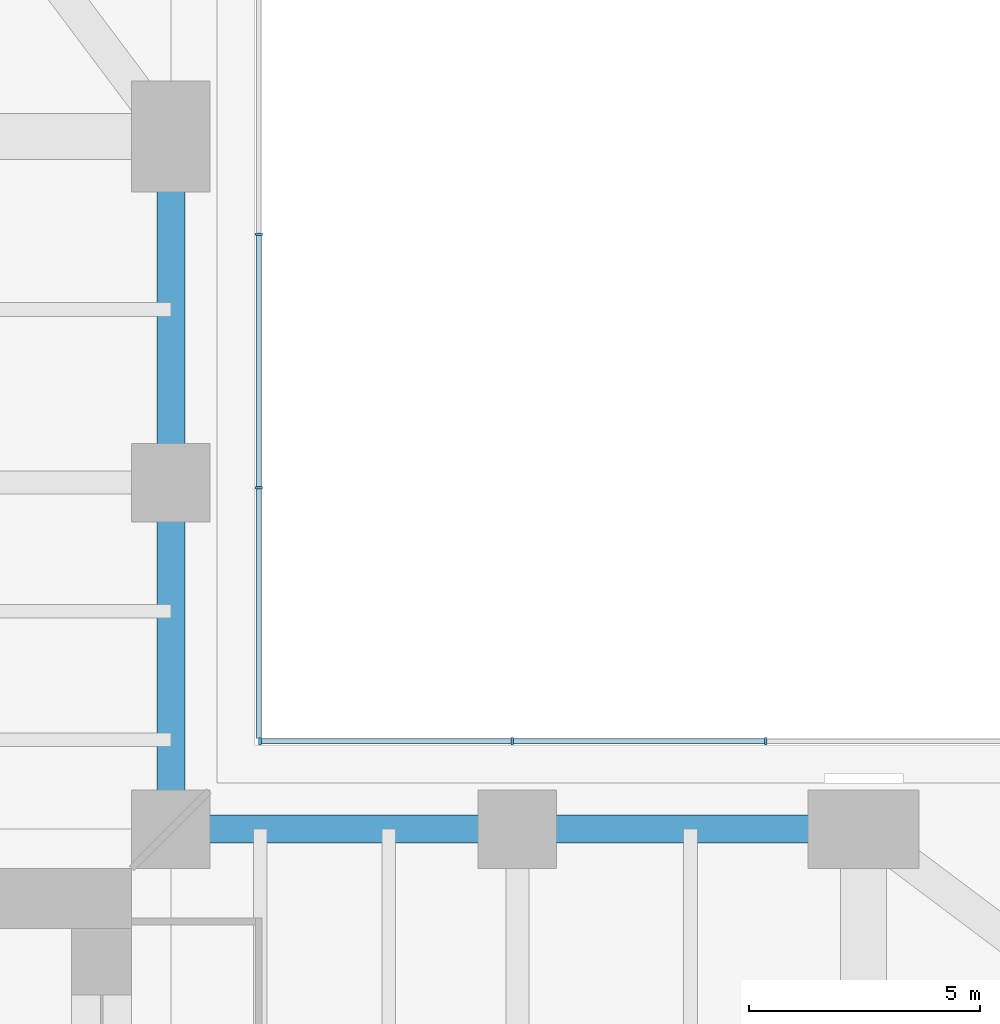
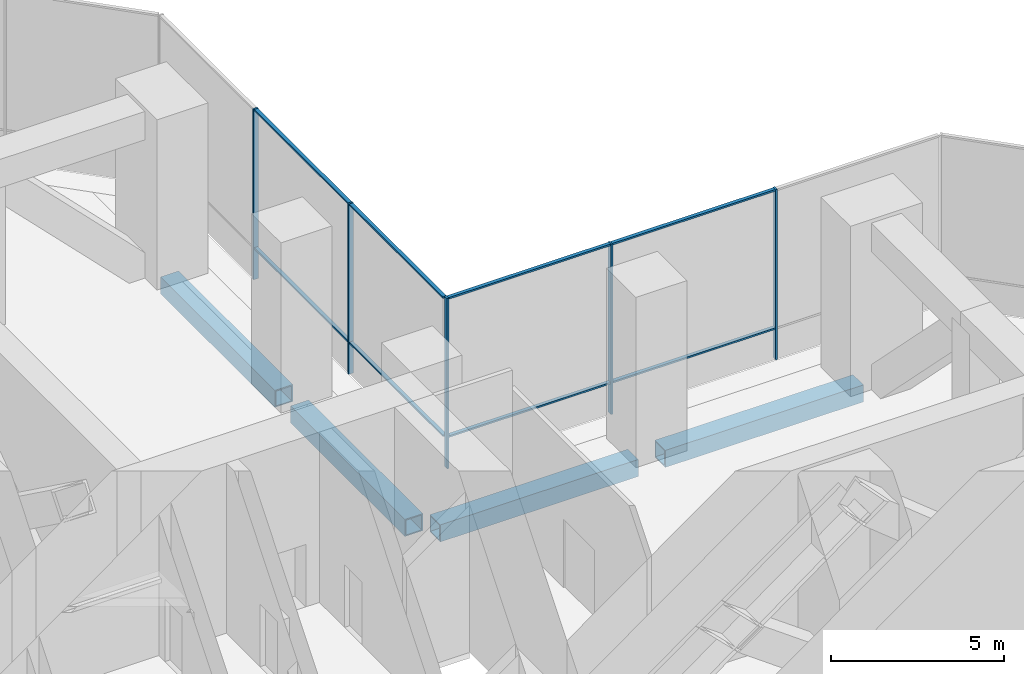
# One storey, part 10 of 20: 13 members, 4 beams, 2 elements without a shape of their own.
"""IFC4 building model written with IfcOpenShell, lengths in metres."""

from ifc_helpers import new_model, si_unit, direction, frame, origin, origin_2d, place, context, subcontext, project, spatial, rectangle, hollow_rectangle, extrude, material, material_profile, profile_set, type_object, element, aggregate, save


model = new_model("IFC4")

# Units and contexts
model_context = context("Model", 3, precision=1e-05, world=origin(), true_north=direction((0.0, 1.0)))
body_context = subcontext(model_context, "Body", "Model", "MODEL_VIEW")
ifc_project = project(units=[si_unit("LENGTHUNIT", "METRE"), si_unit("AREAUNIT", "SQUARE_METRE"), si_unit("VOLUMEUNIT", "CUBIC_METRE"), si_unit("PLANEANGLEUNIT", "RADIAN"), si_unit("MASSUNIT", "GRAM", prefix="KILO")], contexts=[model_context])

# Site, building, storey
site_placement = place(None, origin())
site = spatial("IfcSite", under=ifc_project, at=site_placement, CompositionType="ELEMENT")
building_placement = place(site_placement, origin())
building = spatial("IfcBuilding", under=site, at=building_placement, Name="Mizan Broadcast Tower", CompositionType="ELEMENT")
storey_placement = place(building_placement, frame((0.0, 0.0, 118.199951171875)))
storey = spatial("IfcBuildingStorey", under=building, at=storey_placement, Name="L26", CompositionType="ELEMENT", Elevation=118.199951171875)

# Beams
ifc_material_1 = material(Name="Steel S355", Category="steel")
ifc_material_profile_1 = material_profile(ifc_material_1, hollow_rectangle(XDim=0.60009765625, YDim=0.60009765625, WallThickness=0.0400390625, at=origin_2d()), Name="BOX 600x600x40")
ifc_profile_set_1 = profile_set([ifc_material_profile_1], Name="Steel S355")
beam_type = type_object("IfcBeamType", Name="EDGE BEAM BOX 600x600x40", PredefinedType="SPANDREL", material=ifc_profile_set_1)
for number, where, z_axis, x_axis, name in (
    (1, (12.449951171875, 12.0, -0.47998046875), (1.0, 0.0, 0.0), (0.0, 1.0, 0.0), "Edge beam BOX 600x600x40 L26 east arm"),
    (2, (19.949951171875, 12.0, -0.47998046875), (1.0, 0.0, 0.0), (0.0, 1.0, 0.0), "Edge beam BOX 600x600x40 L26 east arm"),
    (3, (12.0, 12.449951171875, -0.47998046875), (0.0, 1.0, 0.0), (-1.0, 0.0, 0.0), "Edge beam BOX 600x600x40 L26 north arm"),
    (4, (12.0, 19.949951171875, -0.47998046875), (0.0, 1.0, 0.0), (-1.0, 0.0, 0.0), "Edge beam BOX 600x600x40 L26 north arm"),
):
    element("IfcBeam", number, at=place(storey_placement, frame(where, z_axis=z_axis, x_axis=x_axis)), inside=storey, type_object=beam_type, Name=name, PredefinedType="SPANDREL", context=body_context, shape_type="SweptSolid", body=[
        extrude(hollow_rectangle(XDim=0.60009765625, YDim=0.60009765625, WallThickness=0.0400390625, at=origin_2d()), origin(), (0.0, 0.0, 1.0), 6.60009765625),
    ])

# Curtain wall, members
ifc_material_2 = material(Name="Aluminium framed glazing", Category="aluminium")
curtain_wall_type = type_object("IfcCurtainWallType", Name="PLANT LOUVRE", PredefinedType="USERDEFINED", material=ifc_material_2)
curtain_wall_1_placement = place(storey_placement, origin())
curtain_wall_1 = element("IfcCurtainWall", 5, at=curtain_wall_1_placement, inside=storey, type_object=curtain_wall_type, Name="Plant louvre L26 E side", ObjectType="PLANT LOUVRE", PredefinedType="USERDEFINED")
ifc_material_3 = material(Name="Aluminium, pale anodised", Category="aluminium")
ifc_material_profile_2 = material_profile(ifc_material_3, rectangle(XDim=0.159912109375, YDim=0.06005859375, at=origin_2d()), Name="MULLION 160x60")
ifc_profile_set_2 = profile_set([ifc_material_profile_2], Name="Aluminium, pale anodised")
member_type_1 = type_object("IfcMemberType", Name="INNER SKIN MULLION 60x160", PredefinedType="MULLION", material=ifc_profile_set_2)
member_1_placement = place(storey_placement, frame((24.8818359375, 13.89990234375, 0.0), z_axis=(0.0, 0.0, 1.0), x_axis=(0.0, -1.0, 0.0)))
member_1 = element("IfcMember", 6, at=member_1_placement, type_object=member_type_1, Name="Plant louvre L26 E side mullion 2", PredefinedType="MULLION", context=body_context, shape_type="SweptSolid", body=[
    extrude(rectangle(XDim=0.159912109375, YDim=0.06005859375, at=origin_2d()), origin(), (0.0, 0.0, 1.0), 6.0),
])
member_2_placement = place(storey_placement, frame((19.390869140625, 13.89990234375, 0.0), z_axis=(0.0, 0.0, 1.0), x_axis=(0.0, -1.0, 0.0)))
member_2 = element("IfcMember", 7, at=member_2_placement, type_object=member_type_1, Name="Plant louvre L26 E side mullion 3", PredefinedType="MULLION", context=body_context, shape_type="SweptSolid", body=[
    extrude(rectangle(XDim=0.159912109375, YDim=0.06005859375, at=origin_2d()), origin(), (0.0, 0.0, 1.0), 6.0),
])
member_3_placement = place(storey_placement, frame((13.929931640625, 13.89990234375, 0.0), z_axis=(0.0, 0.0, 1.0), x_axis=(0.0, -1.0, 0.0)))
member_3 = element("IfcMember", 8, at=member_3_placement, type_object=member_type_1, Name="Plant louvre L26 E side mullion 4", PredefinedType="MULLION", context=body_context, shape_type="SweptSolid", body=[
    extrude(rectangle(XDim=0.159912109375, YDim=0.06005859375, at=origin_2d()), origin(), (0.0, 0.0, 1.0), 6.0),
])

curtain_wall_2_placement = place(storey_placement, origin())
curtain_wall_2 = element("IfcCurtainWall", 9, at=curtain_wall_2_placement, inside=storey, type_object=curtain_wall_type, Name="Plant louvre L26 N side", ObjectType="PLANT LOUVRE", PredefinedType="USERDEFINED")
member_4_placement = place(storey_placement, frame((13.89990234375, 19.390869140625, 0.0), z_axis=(0.0, 0.0, 1.0), x_axis=(-1.0, 0.0, 0.0)))
member_4 = element("IfcMember", 10, at=member_4_placement, type_object=member_type_1, Name="Plant louvre L26 N side mullion 2", PredefinedType="MULLION", context=body_context, shape_type="SweptSolid", body=[
    extrude(rectangle(XDim=0.159912109375, YDim=0.06005859375, at=origin_2d()), origin(), (0.0, 0.0, 1.0), 6.0),
])
member_5_placement = place(storey_placement, frame((13.89990234375, 24.8818359375, 0.0), z_axis=(0.0, 0.0, 1.0), x_axis=(-1.0, 0.0, 0.0)))
member_5 = element("IfcMember", 11, at=member_5_placement, type_object=member_type_1, Name="Plant louvre L26 N side mullion 3", PredefinedType="MULLION", context=body_context, shape_type="SweptSolid", body=[
    extrude(rectangle(XDim=0.159912109375, YDim=0.06005859375, at=origin_2d()), origin(), (0.0, 0.0, 1.0), 6.0),
])

# Member
ifc_material_4 = material(Name="Aluminium, pale anodised", Category="aluminium")
ifc_material_profile_3 = material_profile(ifc_material_4, rectangle(XDim=0.1201171875, YDim=0.06005859375, at=origin_2d()), Name="TRANSOM 120x60")
ifc_profile_set_3 = profile_set([ifc_material_profile_3], Name="Aluminium, pale anodised")
member_type_2 = type_object("IfcMemberType", Name="INNER SKIN TRANSOM 60x120", PredefinedType="USERDEFINED", material=ifc_profile_set_3)
member_6_placement = place(storey_placement, frame((24.851806640625, 13.89990234375, 1.10009765625), z_axis=(-1.0, 0.0, 0.0), x_axis=(0.0, -1.0, 0.0)))
member_6 = element("IfcMember", 12, at=member_6_placement, type_object=member_type_2, Name="Plant louvre L26 E side transom 2.1", ObjectType="TRANSOM", PredefinedType="USERDEFINED", context=body_context, shape_type="SweptSolid", body=[
    extrude(rectangle(XDim=0.1201171875, YDim=0.06005859375, at=origin_2d()), origin(), (0.0, 0.0, 1.0), 5.430908203125),
])

member_7_placement = place(storey_placement, frame((24.851806640625, 13.89990234375, 5.969970703125), z_axis=(-1.0, 0.0, 0.0), x_axis=(0.0, -1.0, 0.0)))
member_7 = element("IfcMember", 13, at=member_7_placement, type_object=member_type_2, Name="Plant louvre L26 E side transom 2.2", ObjectType="TRANSOM", PredefinedType="USERDEFINED", context=body_context, shape_type="SweptSolid", body=[
    extrude(rectangle(XDim=0.1201171875, YDim=0.06005859375, at=origin_2d()), origin(), (0.0, 0.0, 1.0), 5.430908203125),
])

member_8_placement = place(storey_placement, frame((19.36083984375, 13.89990234375, 1.10009765625), z_axis=(-1.0, 0.0, 0.0), x_axis=(0.0, -1.0, 0.0)))
member_8 = element("IfcMember", 14, at=member_8_placement, type_object=member_type_2, Name="Plant louvre L26 E side transom 3.1", ObjectType="TRANSOM", PredefinedType="USERDEFINED", context=body_context, shape_type="SweptSolid", body=[
    extrude(rectangle(XDim=0.1201171875, YDim=0.06005859375, at=origin_2d()), origin(), (0.0, 0.0, 1.0), 5.40087890625),
])

member_9_placement = place(storey_placement, frame((19.36083984375, 13.89990234375, 5.969970703125), z_axis=(-1.0, 0.0, 0.0), x_axis=(0.0, -1.0, 0.0)))
member_9 = element("IfcMember", 15, at=member_9_placement, type_object=member_type_2, Name="Plant louvre L26 E side transom 3.2", ObjectType="TRANSOM", PredefinedType="USERDEFINED", context=body_context, shape_type="SweptSolid", body=[
    extrude(rectangle(XDim=0.1201171875, YDim=0.06005859375, at=origin_2d()), origin(), (0.0, 0.0, 1.0), 5.40087890625),
])

aggregate(curtain_wall_1, [member_1, member_2, member_3, member_6, member_7, member_8, member_9])

member_10_placement = place(storey_placement, frame((13.89990234375, 13.9599609375, 1.10009765625), z_axis=(0.0, 1.0, 0.0), x_axis=(-1.0, 0.0, 0.0)))
member_10 = element("IfcMember", 16, at=member_10_placement, type_object=member_type_2, Name="Plant louvre L26 N side transom 1.1", ObjectType="TRANSOM", PredefinedType="USERDEFINED", context=body_context, shape_type="SweptSolid", body=[
    extrude(rectangle(XDim=0.1201171875, YDim=0.06005859375, at=origin_2d()), origin(), (0.0, 0.0, 1.0), 5.40087890625),
])

member_11_placement = place(storey_placement, frame((13.89990234375, 13.9599609375, 5.969970703125), z_axis=(0.0, 1.0, 0.0), x_axis=(-1.0, 0.0, 0.0)))
member_11 = element("IfcMember", 17, at=member_11_placement, type_object=member_type_2, Name="Plant louvre L26 N side transom 1.2", ObjectType="TRANSOM", PredefinedType="USERDEFINED", context=body_context, shape_type="SweptSolid", body=[
    extrude(rectangle(XDim=0.1201171875, YDim=0.06005859375, at=origin_2d()), origin(), (0.0, 0.0, 1.0), 5.40087890625),
])

member_12_placement = place(storey_placement, frame((13.89990234375, 19.4208984375, 1.10009765625), z_axis=(0.0, 1.0, 0.0), x_axis=(-1.0, 0.0, 0.0)))
member_12 = element("IfcMember", 18, at=member_12_placement, type_object=member_type_2, Name="Plant louvre L26 N side transom 2.1", ObjectType="TRANSOM", PredefinedType="USERDEFINED", context=body_context, shape_type="SweptSolid", body=[
    extrude(rectangle(XDim=0.1201171875, YDim=0.06005859375, at=origin_2d()), origin(), (0.0, 0.0, 1.0), 5.430908203125),
])

member_13_placement = place(storey_placement, frame((13.89990234375, 19.4208984375, 5.969970703125), z_axis=(0.0, 1.0, 0.0), x_axis=(-1.0, 0.0, 0.0)))
member_13 = element("IfcMember", 19, at=member_13_placement, type_object=member_type_2, Name="Plant louvre L26 N side transom 2.2", ObjectType="TRANSOM", PredefinedType="USERDEFINED", context=body_context, shape_type="SweptSolid", body=[
    extrude(rectangle(XDim=0.1201171875, YDim=0.06005859375, at=origin_2d()), origin(), (0.0, 0.0, 1.0), 5.430908203125),
])

aggregate(curtain_wall_2, [member_4, member_5, member_10, member_11, member_12, member_13])

save(model, "model.ifc")
